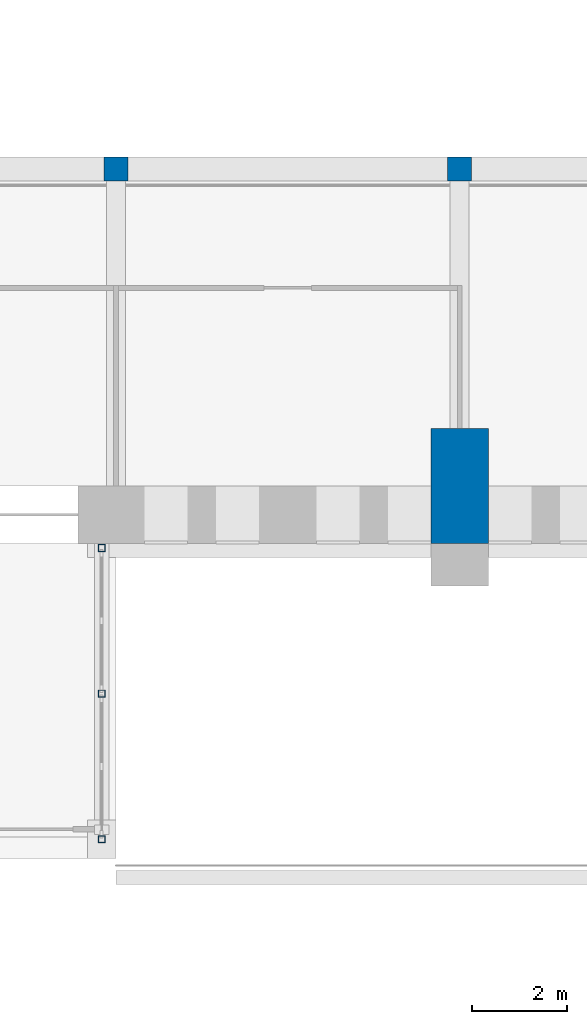
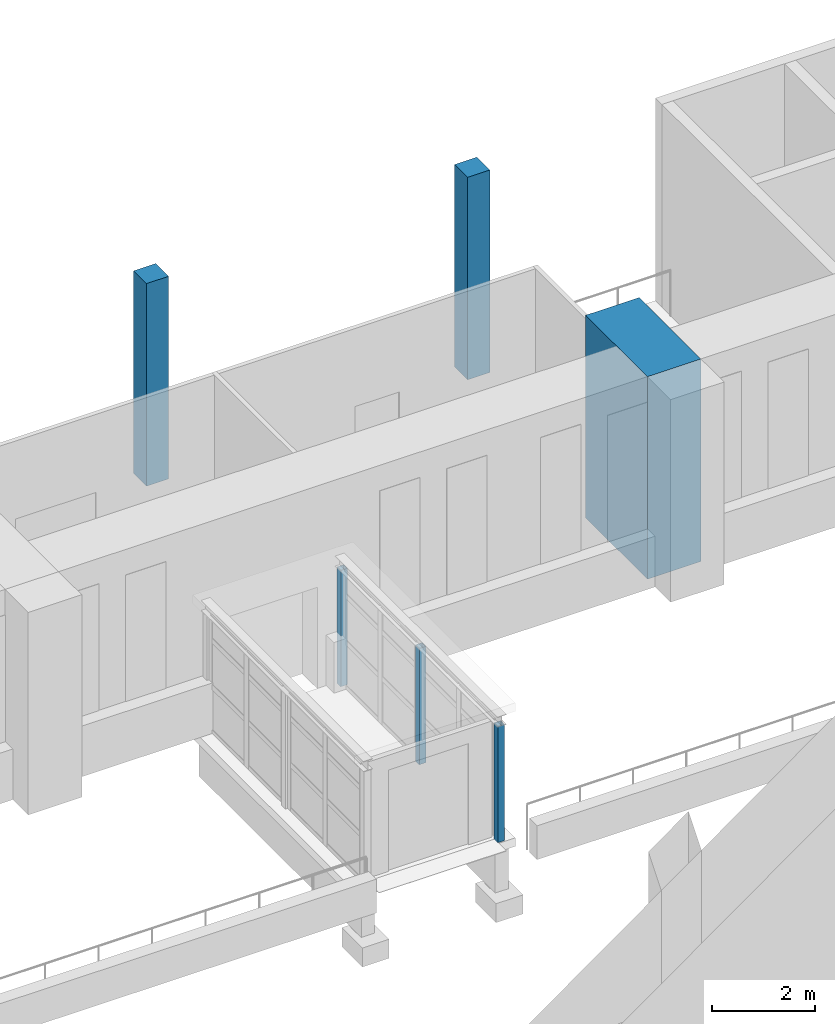
# One storey, part 24 of 131: 6 columns.
"""IFC4 building model written with IfcOpenShell, lengths in metres."""

from ifc_helpers import new_model, si_unit, direction, frame, origin, origin_2d, place, context, subcontext, project, spatial, rectangle, hollow_rectangle, extrude, material, material_profile, profile_set, type_object, element, save


model = new_model("IFC4")

# Units and contexts
model_context = context("Model", 3, precision=1e-05, world=origin(), true_north=direction((0.0, 1.0)))
body_context = subcontext(model_context, "Body", "Model", "MODEL_VIEW")
ifc_project = project(units=[si_unit("LENGTHUNIT", "METRE"), si_unit("AREAUNIT", "SQUARE_METRE"), si_unit("VOLUMEUNIT", "CUBIC_METRE"), si_unit("PLANEANGLEUNIT", "RADIAN"), si_unit("MASSUNIT", "GRAM", prefix="KILO")], contexts=[model_context])

# Site, building, storey
site_placement = place(None, origin())
site = spatial("IfcSite", under=ifc_project, at=site_placement, CompositionType="ELEMENT")
building_placement = place(site_placement, origin())
building = spatial("IfcBuilding", under=site, at=building_placement, Name="Alderwick Market Hall", CompositionType="ELEMENT")
storey_placement = place(building_placement, frame((0.0, 0.0, 4.800048828125)))
storey = spatial("IfcBuildingStorey", under=building, at=storey_placement, Name="L00", CompositionType="ELEMENT", Elevation=4.800048828125)

# Columns
ifc_material_1 = material(Name="Concrete 5000 psi (f'c 35 MPa)", Category="concrete")
ifc_material_profile_1 = material_profile(ifc_material_1, rectangle(XDim=0.5, YDim=0.5, at=origin_2d()), Name="RC 500x500")
ifc_profile_set_1 = profile_set([ifc_material_profile_1], Name="Concrete 5000 psi (f'c 35 MPa)")
column_type_1 = type_object("IfcColumnType", Name="H Column 500x500", PredefinedType="COLUMN", material=ifc_profile_set_1)
for number, where, z_axis, x_axis, name in (
    (1, (129.60009765625, 57.639892578125, 0.0), (0.0, 0.0, 1.0), (1.0, 0.0, 0.0), "Gallery column S19"),
    (2, (136.800048828125, 57.639892578125, 0.0), (0.0, 0.0, 1.0), (1.0, 0.0, 0.0), "Gallery column S21"),
):
    element("IfcColumn", number, at=place(storey_placement, frame(where, z_axis=z_axis, x_axis=x_axis)), inside=storey, type_object=column_type_1, Name=name, PredefinedType="COLUMN", context=body_context, shape_type="SweptSolid", body=[
        extrude(rectangle(XDim=0.5, YDim=0.5, at=origin_2d()), origin(), (0.0, 0.0, 1.0), 4.800048828125),
    ])
ifc_material_2 = material(Name="Steel ASTM A500 Grade C", Category="steel")
ifc_material_profile_2 = material_profile(ifc_material_2, hollow_rectangle(XDim=0.152099609375, YDim=0.152099609375, WallThickness=0.009521484375, at=origin_2d()), Name="HSS152x152x9.5")
ifc_profile_set_2 = profile_set([ifc_material_profile_2], Name="Steel ASTM A500 Grade C")
column_type_2 = type_object("IfcColumnType", Name="P HSS Column 152x152x9.5", PredefinedType="COLUMN", material=ifc_profile_set_2)
for number, where, z_axis, x_axis, name in (
    (3, (129.300048828125, 43.60009765625, 0.0), (0.0, 0.0, 1.0), (1.0, 0.0, 0.0), "P.P4.col.b0"),
    (4, (129.300048828125, 46.64990234375, 0.0), (0.0, 0.0, 1.0), (1.0, 0.0, 0.0), "P.P4.col.b1"),
    (5, (129.300048828125, 49.699951171875, 0.0), (0.0, 0.0, 1.0), (1.0, 0.0, 0.0), "P.P4.col.b2"),
):
    element("IfcColumn", number, at=place(storey_placement, frame(where, z_axis=z_axis, x_axis=x_axis)), inside=storey, type_object=column_type_2, Name=name, PredefinedType="COLUMN", context=body_context, shape_type="SweptSolid", body=[
        extrude(hollow_rectangle(XDim=0.152099609375, YDim=0.152099609375, WallThickness=0.009521484375, at=origin_2d()), origin(), (0.0, 0.0, 1.0), 2.7529296875),
    ])
ifc_material_profile_3 = material_profile(ifc_material_1, rectangle(XDim=1.199951171875, YDim=2.39990234375, at=origin_2d()), Name="RC 1200x2400")
ifc_profile_set_3 = profile_set([ifc_material_profile_3], Name="Concrete 5000 psi (f'c 35 MPa)")
column_type_3 = type_object("IfcColumnType", Name="R Buttress Pier 1200x2400", PredefinedType="COLUMN", material=ifc_profile_set_3)
column_placement = place(storey_placement, frame((136.800048828125, 51.0, 0.0), z_axis=(0.0, 0.0, 1.0), x_axis=(1.0, 0.0, 0.0)))
element("IfcColumn", 6, at=column_placement, inside=storey, type_object=column_type_3, Name="Buttress pier S7 L00", PredefinedType="COLUMN", context=body_context, shape_type="SweptSolid", body=[
    extrude(rectangle(XDim=1.199951171875, YDim=2.39990234375, at=origin_2d()), origin(), (0.0, 0.0, 1.0), 4.800048828125),
])

save(model, "model.ifc")
